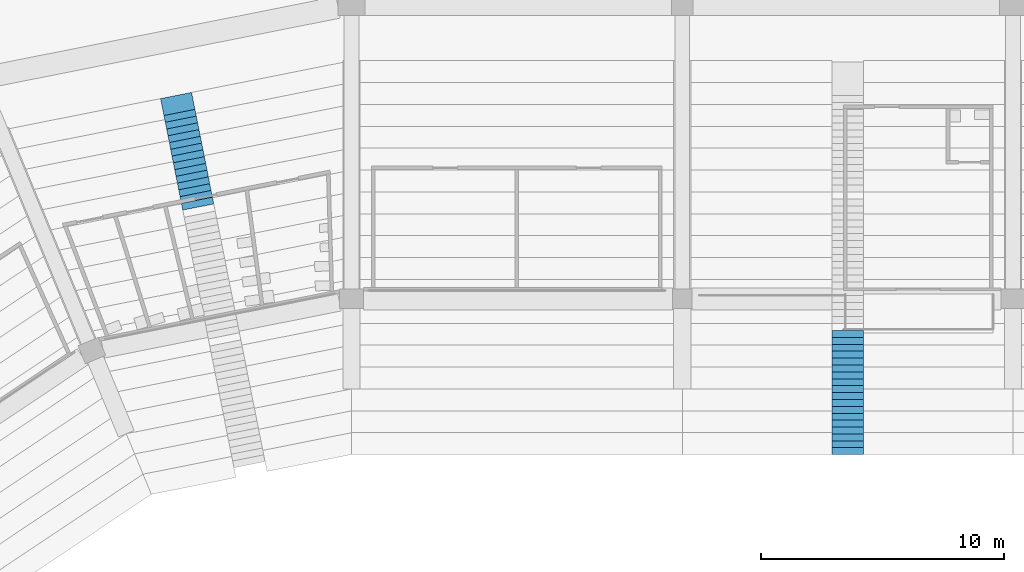
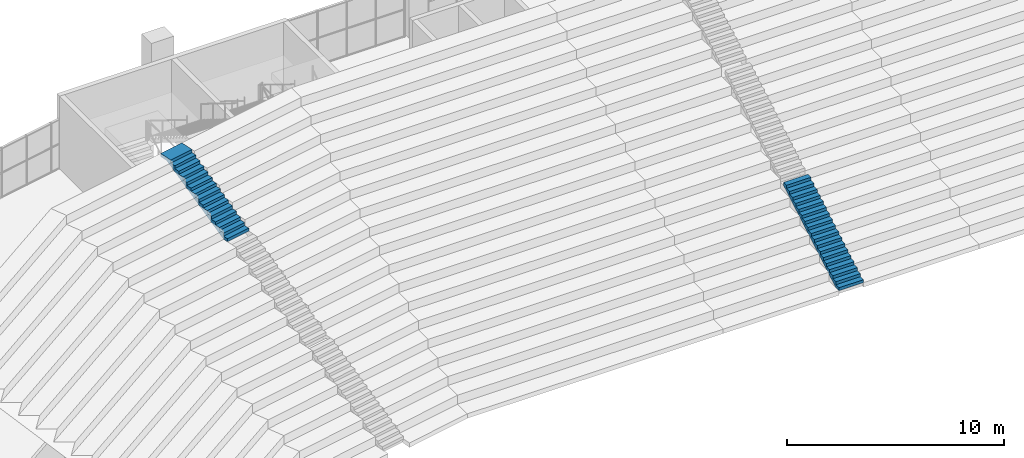
# One storey, part 202 of 249: 2 stair flights, 2 elements without a shape of their own.
"""IFC4 building model written with IfcOpenShell, lengths in metres."""

from ifc_helpers import new_model, si_unit, direction, frame, origin, place, context, subcontext, project, spatial, faceted_brep, material, type_object, element, aggregate, save


model = new_model("IFC4")

# Units and contexts
model_context = context("Model", 3, precision=1e-05, world=origin(), true_north=direction((0.0, 1.0)))
body_context = subcontext(model_context, "Body", "Model", "MODEL_VIEW")
ifc_project = project(units=[si_unit("LENGTHUNIT", "METRE"), si_unit("AREAUNIT", "SQUARE_METRE"), si_unit("VOLUMEUNIT", "CUBIC_METRE"), si_unit("PLANEANGLEUNIT", "RADIAN"), si_unit("MASSUNIT", "GRAM", prefix="KILO")], contexts=[model_context])

# Site, building, storey
site_placement = place(None, origin())
site = spatial("IfcSite", under=ifc_project, at=site_placement, CompositionType="ELEMENT")
building_placement = place(site_placement, origin())
building = spatial("IfcBuilding", under=site, at=building_placement, Name="Ogive Plaza Stadium", CompositionType="ELEMENT")
storey_placement = place(building_placement, frame((0.0, 0.0, 13.5)))
storey = spatial("IfcBuildingStorey", under=building, at=storey_placement, Name="L03", CompositionType="ELEMENT", Elevation=13.5)

# Stair, stair flight
ifc_material_1 = material(Name="Concrete C40/50", Category="concrete")
stair_type = type_object("IfcStairType", Name="Aisle stair", PredefinedType="STRAIGHT_RUN_STAIR", material=ifc_material_1)
stair_1_placement = place(storey_placement, origin())
stair_1 = element("IfcStair", 1, at=stair_1_placement, inside=storey, type_object=stair_type, Name="Aisle stair SA31U", PredefinedType="STRAIGHT_RUN_STAIR")
ifc_material_2 = material(Name="Concrete C40/50", Category="concrete")
stair_flight_type = type_object("IfcStairFlightType", Name="Aisle stair flight", PredefinedType="STRAIGHT", material=ifc_material_2)
stair_flight_1_placement = place(storey_placement, frame((-40.301513671875, 84.179443359375, 6.5), z_axis=(0.0, 0.0, 1.0), x_axis=(-0.195090322016, 0.980785280403, 0.0)))
stair_flight_1 = element("IfcStairFlight", 2, at=stair_flight_1_placement, type_object=stair_flight_type, Name="SA31U flight 3", NumberOfRisers=15, NumberOfTreads=14, PredefinedType="STRAIGHT", RiserHeight=0.166666667, TreadLength=0.283333333, context=body_context, shape_type="Brep", body=[
    faceted_brep([(0.295654296875, -0.64990234375, 0.0), (4.25, -0.64990234375, 2.326171875), (4.675537109375, -0.64990234375, 2.326171875), (4.675537109375, -0.64990234375, 2.5), (3.966552734375, -0.64990234375, 2.5), (3.966552734375, -0.64990234375, 2.333251953125), (3.683349609375, -0.64990234375, 2.333251953125), (3.683349609375, -0.64990234375, 2.166748046875), (3.39990234375, -0.64990234375, 2.166748046875), (3.39990234375, -0.64990234375, 2.0), (3.11669921875, -0.64990234375, 2.0), (3.11669921875, -0.64990234375, 1.833251953125), (2.833251953125, -0.64990234375, 1.833251953125), (2.833251953125, -0.64990234375, 1.666748046875), (2.550048828125, -0.64990234375, 1.666748046875), (2.550048828125, -0.64990234375, 1.5), (2.2666015625, -0.64990234375, 1.5), (2.2666015625, -0.64990234375, 1.333251953125), (1.9833984375, -0.64990234375, 1.333251953125), (1.9833984375, -0.64990234375, 1.166748046875), (1.699951171875, -0.64990234375, 1.166748046875), (1.699951171875, -0.64990234375, 1.0), (1.416748046875, -0.64990234375, 1.0), (1.416748046875, -0.64990234375, 0.833251953125), (1.13330078125, -0.64990234375, 0.833251953125), (1.13330078125, -0.64990234375, 0.666748046875), (0.85009765625, -0.64990234375, 0.666748046875), (0.85009765625, -0.64990234375, 0.5), (0.566650390625, -0.64990234375, 0.5), (0.566650390625, -0.64990234375, 0.333251953125), (0.283447265625, -0.64990234375, 0.333251953125), (0.283447265625, -0.64990234375, 0.166748046875), (0.0, -0.64990234375, 0.166748046875), (0.0, -0.64990234375, 0.0), (0.0, 0.64990234375, 0.0), (0.0, 0.64990234375, 0.166748046875), (0.283447265625, 0.64990234375, 0.166748046875), (0.283447265625, 0.64990234375, 0.333251953125), (0.566650390625, 0.64990234375, 0.333251953125), (0.566650390625, 0.64990234375, 0.5), (0.85009765625, 0.64990234375, 0.5), (0.85009765625, 0.64990234375, 0.666748046875), (1.13330078125, 0.64990234375, 0.666748046875), (1.13330078125, 0.64990234375, 0.833251953125), (1.416748046875, 0.64990234375, 0.833251953125), (1.416748046875, 0.64990234375, 1.0), (1.699951171875, 0.64990234375, 1.0), (1.699951171875, 0.64990234375, 1.166748046875), (1.9833984375, 0.64990234375, 1.166748046875), (1.9833984375, 0.64990234375, 1.333251953125), (2.2666015625, 0.64990234375, 1.333251953125), (2.2666015625, 0.64990234375, 1.5), (2.550048828125, 0.64990234375, 1.5), (2.550048828125, 0.64990234375, 1.666748046875), (2.833251953125, 0.64990234375, 1.666748046875), (2.833251953125, 0.64990234375, 1.833251953125), (3.11669921875, 0.64990234375, 1.833251953125), (3.11669921875, 0.64990234375, 2.0), (3.39990234375, 0.64990234375, 2.0), (3.39990234375, 0.64990234375, 2.166748046875), (3.683349609375, 0.64990234375, 2.166748046875), (3.683349609375, 0.64990234375, 2.333251953125), (3.966552734375, 0.64990234375, 2.333251953125), (3.966552734375, 0.64990234375, 2.5), (4.675537109375, 0.64990234375, 2.5), (4.675537109375, 0.64990234375, 2.326171875), (4.25, 0.64990234375, 2.326171875), (0.295654296875, 0.64990234375, 0.0), (0.295654296875, -0.324951171875, 0.0), (4.25, -0.324951171875, 2.326171875), (0.295654296875, 0.0, 0.0), (4.25, 0.0, 2.326171875), (0.295654296875, 0.324951171875, 0.0), (4.25, 0.324951171875, 2.326171875), (4.675537109375, -0.324951171875, 2.326171875), (4.675537109375, 0.0, 2.326171875), (4.675537109375, 0.324951171875, 2.326171875), (4.675537109375, -0.324951171875, 2.5), (4.675537109375, 0.0, 2.5), (4.675537109375, 0.324951171875, 2.5), (3.966552734375, -0.324951171875, 2.5), (3.966552734375, 0.0, 2.5), (3.966552734375, 0.324951171875, 2.5), (3.966552734375, -0.324951171875, 2.333251953125), (3.966552734375, 0.0, 2.333251953125), (3.966552734375, 0.324951171875, 2.333251953125), (3.683349609375, -0.324951171875, 2.333251953125), (3.683349609375, 0.0, 2.333251953125), (3.683349609375, 0.324951171875, 2.333251953125), (3.683349609375, -0.324951171875, 2.166748046875), (3.683349609375, 0.0, 2.166748046875), (3.683349609375, 0.324951171875, 2.166748046875), (3.39990234375, -0.324951171875, 2.166748046875), (3.39990234375, 0.0, 2.166748046875), (3.39990234375, 0.324951171875, 2.166748046875), (3.39990234375, -0.324951171875, 2.0), (3.39990234375, 0.0, 2.0), (3.39990234375, 0.324951171875, 2.0), (3.11669921875, -0.324951171875, 2.0), (3.11669921875, 0.0, 2.0), (3.11669921875, 0.324951171875, 2.0), (3.11669921875, -0.324951171875, 1.833251953125), (3.11669921875, 0.0, 1.833251953125), (3.11669921875, 0.324951171875, 1.833251953125), (2.833251953125, -0.324951171875, 1.833251953125), (2.833251953125, 0.0, 1.833251953125), (2.833251953125, 0.324951171875, 1.833251953125), (2.833251953125, -0.324951171875, 1.666748046875), (2.833251953125, 0.0, 1.666748046875), (2.833251953125, 0.324951171875, 1.666748046875), (2.550048828125, -0.324951171875, 1.666748046875), (2.550048828125, 0.0, 1.666748046875), (2.550048828125, 0.324951171875, 1.666748046875), (2.550048828125, -0.324951171875, 1.5), (2.550048828125, 0.0, 1.5), (2.550048828125, 0.324951171875, 1.5), (2.2666015625, -0.324951171875, 1.5), (2.2666015625, 0.0, 1.5), (2.2666015625, 0.324951171875, 1.5), (2.2666015625, -0.324951171875, 1.333251953125), (2.2666015625, 0.0, 1.333251953125), (2.2666015625, 0.324951171875, 1.333251953125), (1.9833984375, -0.324951171875, 1.333251953125), (1.9833984375, 0.0, 1.333251953125), (1.9833984375, 0.324951171875, 1.333251953125), (1.9833984375, -0.324951171875, 1.166748046875), (1.9833984375, 0.0, 1.166748046875), (1.9833984375, 0.324951171875, 1.166748046875), (1.699951171875, -0.324951171875, 1.166748046875), (1.699951171875, 0.0, 1.166748046875), (1.699951171875, 0.324951171875, 1.166748046875), (1.699951171875, -0.324951171875, 1.0), (1.699951171875, 0.0, 1.0), (1.699951171875, 0.324951171875, 1.0), (1.416748046875, -0.324951171875, 1.0), (1.416748046875, 0.0, 1.0), (1.416748046875, 0.324951171875, 1.0), (1.416748046875, -0.324951171875, 0.833251953125), (1.416748046875, 0.0, 0.833251953125), (1.416748046875, 0.324951171875, 0.833251953125), (1.13330078125, -0.324951171875, 0.833251953125), (1.13330078125, 0.0, 0.833251953125), (1.13330078125, 0.324951171875, 0.833251953125), (1.13330078125, -0.324951171875, 0.666748046875), (1.13330078125, 0.0, 0.666748046875), (1.13330078125, 0.324951171875, 0.666748046875), (0.85009765625, -0.324951171875, 0.666748046875), (0.85009765625, 0.0, 0.666748046875), (0.85009765625, 0.324951171875, 0.666748046875), (0.85009765625, -0.324951171875, 0.5), (0.85009765625, 0.0, 0.5), (0.85009765625, 0.324951171875, 0.5), (0.566650390625, -0.324951171875, 0.5), (0.566650390625, 0.0, 0.5), (0.566650390625, 0.324951171875, 0.5), (0.566650390625, -0.324951171875, 0.333251953125), (0.566650390625, 0.0, 0.333251953125), (0.566650390625, 0.324951171875, 0.333251953125), (0.283447265625, -0.324951171875, 0.333251953125), (0.283447265625, 0.0, 0.333251953125), (0.283447265625, 0.324951171875, 0.333251953125), (0.283447265625, -0.324951171875, 0.166748046875), (0.283447265625, 0.0, 0.166748046875), (0.283447265625, 0.324951171875, 0.166748046875), (0.0, -0.324951171875, 0.166748046875), (0.0, 0.0, 0.166748046875), (0.0, 0.324951171875, 0.166748046875), (0.0, -0.324951171875, 0.0), (0.0, 0.0, 0.0), (0.0, 0.324951171875, 0.0)], [[[0, 1, 2, 3, 4, 5, 6, 7, 8, 9, 10, 11, 12, 13, 14, 15, 16, 17, 18, 19, 20, 21, 22, 23, 24, 25, 26, 27, 28, 29, 30, 31, 32, 33]], [[34, 35, 36, 37, 38, 39, 40, 41, 42, 43, 44, 45, 46, 47, 48, 49, 50, 51, 52, 53, 54, 55, 56, 57, 58, 59, 60, 61, 62, 63, 64, 65, 66, 67]], [[0, 68, 69, 1]], [[68, 70, 71, 69]], [[70, 72, 73, 71]], [[72, 67, 66, 73]], [[1, 69, 74, 2]], [[69, 71, 75, 74]], [[71, 73, 76, 75]], [[73, 66, 65, 76]], [[2, 74, 77, 3]], [[74, 75, 78, 77]], [[75, 76, 79, 78]], [[76, 65, 64, 79]], [[3, 77, 80, 4]], [[77, 78, 81, 80]], [[78, 79, 82, 81]], [[79, 64, 63, 82]], [[4, 80, 83, 5]], [[80, 81, 84, 83]], [[81, 82, 85, 84]], [[82, 63, 62, 85]], [[5, 83, 86, 6]], [[83, 84, 87, 86]], [[84, 85, 88, 87]], [[85, 62, 61, 88]], [[6, 86, 89, 7]], [[86, 87, 90, 89]], [[87, 88, 91, 90]], [[88, 61, 60, 91]], [[7, 89, 92, 8]], [[89, 90, 93, 92]], [[90, 91, 94, 93]], [[91, 60, 59, 94]], [[8, 92, 95, 9]], [[92, 93, 96, 95]], [[93, 94, 97, 96]], [[94, 59, 58, 97]], [[9, 95, 98, 10]], [[95, 96, 99, 98]], [[96, 97, 100, 99]], [[97, 58, 57, 100]], [[10, 98, 101, 11]], [[98, 99, 102, 101]], [[99, 100, 103, 102]], [[100, 57, 56, 103]], [[11, 101, 104, 12]], [[101, 102, 105, 104]], [[102, 103, 106, 105]], [[103, 56, 55, 106]], [[12, 104, 107, 13]], [[104, 105, 108, 107]], [[105, 106, 109, 108]], [[106, 55, 54, 109]], [[13, 107, 110, 14]], [[107, 108, 111, 110]], [[108, 109, 112, 111]], [[109, 54, 53, 112]], [[14, 110, 113, 15]], [[110, 111, 114, 113]], [[111, 112, 115, 114]], [[112, 53, 52, 115]], [[15, 113, 116, 16]], [[113, 114, 117, 116]], [[114, 115, 118, 117]], [[115, 52, 51, 118]], [[16, 116, 119, 17]], [[116, 117, 120, 119]], [[117, 118, 121, 120]], [[118, 51, 50, 121]], [[17, 119, 122, 18]], [[119, 120, 123, 122]], [[120, 121, 124, 123]], [[121, 50, 49, 124]], [[18, 122, 125, 19]], [[122, 123, 126, 125]], [[123, 124, 127, 126]], [[124, 49, 48, 127]], [[19, 125, 128, 20]], [[125, 126, 129, 128]], [[126, 127, 130, 129]], [[127, 48, 47, 130]], [[20, 128, 131, 21]], [[128, 129, 132, 131]], [[129, 130, 133, 132]], [[130, 47, 46, 133]], [[21, 131, 134, 22]], [[131, 132, 135, 134]], [[132, 133, 136, 135]], [[133, 46, 45, 136]], [[22, 134, 137, 23]], [[134, 135, 138, 137]], [[135, 136, 139, 138]], [[136, 45, 44, 139]], [[23, 137, 140, 24]], [[137, 138, 141, 140]], [[138, 139, 142, 141]], [[139, 44, 43, 142]], [[24, 140, 143, 25]], [[140, 141, 144, 143]], [[141, 142, 145, 144]], [[142, 43, 42, 145]], [[25, 143, 146, 26]], [[143, 144, 147, 146]], [[144, 145, 148, 147]], [[145, 42, 41, 148]], [[26, 146, 149, 27]], [[146, 147, 150, 149]], [[147, 148, 151, 150]], [[148, 41, 40, 151]], [[27, 149, 152, 28]], [[149, 150, 153, 152]], [[150, 151, 154, 153]], [[151, 40, 39, 154]], [[28, 152, 155, 29]], [[152, 153, 156, 155]], [[153, 154, 157, 156]], [[154, 39, 38, 157]], [[29, 155, 158, 30]], [[155, 156, 159, 158]], [[156, 157, 160, 159]], [[157, 38, 37, 160]], [[30, 158, 161, 31]], [[158, 159, 162, 161]], [[159, 160, 163, 162]], [[160, 37, 36, 163]], [[31, 161, 164, 32]], [[161, 162, 165, 164]], [[162, 163, 166, 165]], [[163, 36, 35, 166]], [[32, 164, 167, 33]], [[164, 165, 168, 167]], [[165, 166, 169, 168]], [[166, 35, 34, 169]], [[33, 167, 68, 0]], [[167, 168, 70, 68]], [[168, 169, 72, 70]], [[169, 34, 67, 72]]]),
])
aggregate(stair_1, [stair_flight_1])

stair_2_placement = place(storey_placement, origin())
stair_2 = element("IfcStair", 3, at=stair_2_placement, inside=storey, type_object=stair_type, Name="Aisle stair SA33U", PredefinedType="STRAIGHT_RUN_STAIR")
stair_flight_2_placement = place(storey_placement, frame((-13.60009765625, 74.0, 0.5), z_axis=(0.0, 0.0, 1.0), x_axis=(0.0, 1.0, 0.0)))
stair_flight_2 = element("IfcStairFlight", 4, at=stair_flight_2_placement, type_object=stair_flight_type, Name="SA33U flight 1", NumberOfRisers=18, NumberOfTreads=17, PredefinedType="STRAIGHT", RiserHeight=0.166666667, TreadLength=0.283333333, context=body_context, shape_type="Brep", body=[
    faceted_brep([(0.295654296875, -0.64990234375, 0.0), (5.10009765625, -0.64990234375, 2.826171875), (5.10009765625, -0.64990234375, 3.0), (4.816650390625, -0.64990234375, 3.0), (4.816650390625, -0.64990234375, 2.833251953125), (4.533447265625, -0.64990234375, 2.833251953125), (4.533447265625, -0.64990234375, 2.666748046875), (4.25, -0.64990234375, 2.666748046875), (4.25, -0.64990234375, 2.5), (3.966552734375, -0.64990234375, 2.5), (3.966552734375, -0.64990234375, 2.333251953125), (3.683349609375, -0.64990234375, 2.333251953125), (3.683349609375, -0.64990234375, 2.166748046875), (3.39990234375, -0.64990234375, 2.166748046875), (3.39990234375, -0.64990234375, 2.0), (3.11669921875, -0.64990234375, 2.0), (3.11669921875, -0.64990234375, 1.833251953125), (2.833251953125, -0.64990234375, 1.833251953125), (2.833251953125, -0.64990234375, 1.666748046875), (2.550048828125, -0.64990234375, 1.666748046875), (2.550048828125, -0.64990234375, 1.5), (2.2666015625, -0.64990234375, 1.5), (2.2666015625, -0.64990234375, 1.333251953125), (1.9833984375, -0.64990234375, 1.333251953125), (1.9833984375, -0.64990234375, 1.166748046875), (1.699951171875, -0.64990234375, 1.166748046875), (1.699951171875, -0.64990234375, 1.0), (1.416748046875, -0.64990234375, 1.0), (1.416748046875, -0.64990234375, 0.833251953125), (1.13330078125, -0.64990234375, 0.833251953125), (1.13330078125, -0.64990234375, 0.666748046875), (0.85009765625, -0.64990234375, 0.666748046875), (0.85009765625, -0.64990234375, 0.5), (0.566650390625, -0.64990234375, 0.5), (0.566650390625, -0.64990234375, 0.333251953125), (0.283447265625, -0.64990234375, 0.333251953125), (0.283447265625, -0.64990234375, 0.166748046875), (0.0, -0.64990234375, 0.166748046875), (0.0, -0.64990234375, 0.0), (0.0, 0.64990234375, 0.0), (0.0, 0.64990234375, 0.166748046875), (0.283447265625, 0.64990234375, 0.166748046875), (0.283447265625, 0.64990234375, 0.333251953125), (0.566650390625, 0.64990234375, 0.333251953125), (0.566650390625, 0.64990234375, 0.5), (0.85009765625, 0.64990234375, 0.5), (0.85009765625, 0.64990234375, 0.666748046875), (1.13330078125, 0.64990234375, 0.666748046875), (1.13330078125, 0.64990234375, 0.833251953125), (1.416748046875, 0.64990234375, 0.833251953125), (1.416748046875, 0.64990234375, 1.0), (1.699951171875, 0.64990234375, 1.0), (1.699951171875, 0.64990234375, 1.166748046875), (1.9833984375, 0.64990234375, 1.166748046875), (1.9833984375, 0.64990234375, 1.333251953125), (2.2666015625, 0.64990234375, 1.333251953125), (2.2666015625, 0.64990234375, 1.5), (2.550048828125, 0.64990234375, 1.5), (2.550048828125, 0.64990234375, 1.666748046875), (2.833251953125, 0.64990234375, 1.666748046875), (2.833251953125, 0.64990234375, 1.833251953125), (3.11669921875, 0.64990234375, 1.833251953125), (3.11669921875, 0.64990234375, 2.0), (3.39990234375, 0.64990234375, 2.0), (3.39990234375, 0.64990234375, 2.166748046875), (3.683349609375, 0.64990234375, 2.166748046875), (3.683349609375, 0.64990234375, 2.333251953125), (3.966552734375, 0.64990234375, 2.333251953125), (3.966552734375, 0.64990234375, 2.5), (4.25, 0.64990234375, 2.5), (4.25, 0.64990234375, 2.666748046875), (4.533447265625, 0.64990234375, 2.666748046875), (4.533447265625, 0.64990234375, 2.833251953125), (4.816650390625, 0.64990234375, 2.833251953125), (4.816650390625, 0.64990234375, 3.0), (5.10009765625, 0.64990234375, 3.0), (5.10009765625, 0.64990234375, 2.826171875), (0.295654296875, 0.64990234375, 0.0), (0.295654296875, -0.324951171875, 0.0), (5.10009765625, -0.324951171875, 2.826171875), (0.295654296875, 0.0, 0.0), (5.10009765625, 0.0, 2.826171875), (0.295654296875, 0.324951171875, 0.0), (5.10009765625, 0.324951171875, 2.826171875), (5.10009765625, -0.324951171875, 3.0), (5.10009765625, 0.0, 3.0), (5.10009765625, 0.324951171875, 3.0), (4.816650390625, -0.324951171875, 3.0), (4.816650390625, 0.0, 3.0), (4.816650390625, 0.324951171875, 3.0), (4.816650390625, -0.324951171875, 2.833251953125), (4.816650390625, 0.0, 2.833251953125), (4.816650390625, 0.324951171875, 2.833251953125), (4.533447265625, -0.324951171875, 2.833251953125), (4.533447265625, 0.0, 2.833251953125), (4.533447265625, 0.324951171875, 2.833251953125), (4.533447265625, -0.324951171875, 2.666748046875), (4.533447265625, 0.0, 2.666748046875), (4.533447265625, 0.324951171875, 2.666748046875), (4.25, -0.324951171875, 2.666748046875), (4.25, 0.0, 2.666748046875), (4.25, 0.324951171875, 2.666748046875), (4.25, -0.324951171875, 2.5), (4.25, 0.0, 2.5), (4.25, 0.324951171875, 2.5), (3.966552734375, -0.324951171875, 2.5), (3.966552734375, 0.0, 2.5), (3.966552734375, 0.324951171875, 2.5), (3.966552734375, -0.324951171875, 2.333251953125), (3.966552734375, 0.0, 2.333251953125), (3.966552734375, 0.324951171875, 2.333251953125), (3.683349609375, -0.324951171875, 2.333251953125), (3.683349609375, 0.0, 2.333251953125), (3.683349609375, 0.324951171875, 2.333251953125), (3.683349609375, -0.324951171875, 2.166748046875), (3.683349609375, 0.0, 2.166748046875), (3.683349609375, 0.324951171875, 2.166748046875), (3.39990234375, -0.324951171875, 2.166748046875), (3.39990234375, 0.0, 2.166748046875), (3.39990234375, 0.324951171875, 2.166748046875), (3.39990234375, -0.324951171875, 2.0), (3.39990234375, 0.0, 2.0), (3.39990234375, 0.324951171875, 2.0), (3.11669921875, -0.324951171875, 2.0), (3.11669921875, 0.0, 2.0), (3.11669921875, 0.324951171875, 2.0), (3.11669921875, -0.324951171875, 1.833251953125), (3.11669921875, 0.0, 1.833251953125), (3.11669921875, 0.324951171875, 1.833251953125), (2.833251953125, -0.324951171875, 1.833251953125), (2.833251953125, 0.0, 1.833251953125), (2.833251953125, 0.324951171875, 1.833251953125), (2.833251953125, -0.324951171875, 1.666748046875), (2.833251953125, 0.0, 1.666748046875), (2.833251953125, 0.324951171875, 1.666748046875), (2.550048828125, -0.324951171875, 1.666748046875), (2.550048828125, 0.0, 1.666748046875), (2.550048828125, 0.324951171875, 1.666748046875), (2.550048828125, -0.324951171875, 1.5), (2.550048828125, 0.0, 1.5), (2.550048828125, 0.324951171875, 1.5), (2.2666015625, -0.324951171875, 1.5), (2.2666015625, 0.0, 1.5), (2.2666015625, 0.324951171875, 1.5), (2.2666015625, -0.324951171875, 1.333251953125), (2.2666015625, 0.0, 1.333251953125), (2.2666015625, 0.324951171875, 1.333251953125), (1.9833984375, -0.324951171875, 1.333251953125), (1.9833984375, 0.0, 1.333251953125), (1.9833984375, 0.324951171875, 1.333251953125), (1.9833984375, -0.324951171875, 1.166748046875), (1.9833984375, 0.0, 1.166748046875), (1.9833984375, 0.324951171875, 1.166748046875), (1.699951171875, -0.324951171875, 1.166748046875), (1.699951171875, 0.0, 1.166748046875), (1.699951171875, 0.324951171875, 1.166748046875), (1.699951171875, -0.324951171875, 1.0), (1.699951171875, 0.0, 1.0), (1.699951171875, 0.324951171875, 1.0), (1.416748046875, -0.324951171875, 1.0), (1.416748046875, 0.0, 1.0), (1.416748046875, 0.324951171875, 1.0), (1.416748046875, -0.324951171875, 0.833251953125), (1.416748046875, 0.0, 0.833251953125), (1.416748046875, 0.324951171875, 0.833251953125), (1.13330078125, -0.324951171875, 0.833251953125), (1.13330078125, 0.0, 0.833251953125), (1.13330078125, 0.324951171875, 0.833251953125), (1.13330078125, -0.324951171875, 0.666748046875), (1.13330078125, 0.0, 0.666748046875), (1.13330078125, 0.324951171875, 0.666748046875), (0.85009765625, -0.324951171875, 0.666748046875), (0.85009765625, 0.0, 0.666748046875), (0.85009765625, 0.324951171875, 0.666748046875), (0.85009765625, -0.324951171875, 0.5), (0.85009765625, 0.0, 0.5), (0.85009765625, 0.324951171875, 0.5), (0.566650390625, -0.324951171875, 0.5), (0.566650390625, 0.0, 0.5), (0.566650390625, 0.324951171875, 0.5), (0.566650390625, -0.324951171875, 0.333251953125), (0.566650390625, 0.0, 0.333251953125), (0.566650390625, 0.324951171875, 0.333251953125), (0.283447265625, -0.324951171875, 0.333251953125), (0.283447265625, 0.0, 0.333251953125), (0.283447265625, 0.324951171875, 0.333251953125), (0.283447265625, -0.324951171875, 0.166748046875), (0.283447265625, 0.0, 0.166748046875), (0.283447265625, 0.324951171875, 0.166748046875), (0.0, -0.324951171875, 0.166748046875), (0.0, 0.0, 0.166748046875), (0.0, 0.324951171875, 0.166748046875), (0.0, -0.324951171875, 0.0), (0.0, 0.0, 0.0), (0.0, 0.324951171875, 0.0)], [[[0, 1, 2, 3, 4, 5, 6, 7, 8, 9, 10, 11, 12, 13, 14, 15, 16, 17, 18, 19, 20, 21, 22, 23, 24, 25, 26, 27, 28, 29, 30, 31, 32, 33, 34, 35, 36, 37, 38]], [[39, 40, 41, 42, 43, 44, 45, 46, 47, 48, 49, 50, 51, 52, 53, 54, 55, 56, 57, 58, 59, 60, 61, 62, 63, 64, 65, 66, 67, 68, 69, 70, 71, 72, 73, 74, 75, 76, 77]], [[0, 78, 79, 1]], [[78, 80, 81, 79]], [[80, 82, 83, 81]], [[82, 77, 76, 83]], [[1, 79, 84, 2]], [[79, 81, 85, 84]], [[81, 83, 86, 85]], [[83, 76, 75, 86]], [[2, 84, 87, 3]], [[84, 85, 88, 87]], [[85, 86, 89, 88]], [[86, 75, 74, 89]], [[3, 87, 90, 4]], [[87, 88, 91, 90]], [[88, 89, 92, 91]], [[89, 74, 73, 92]], [[4, 90, 93, 5]], [[90, 91, 94, 93]], [[91, 92, 95, 94]], [[92, 73, 72, 95]], [[5, 93, 96, 6]], [[93, 94, 97, 96]], [[94, 95, 98, 97]], [[95, 72, 71, 98]], [[6, 96, 99, 7]], [[96, 97, 100, 99]], [[97, 98, 101, 100]], [[98, 71, 70, 101]], [[7, 99, 102, 8]], [[99, 100, 103, 102]], [[100, 101, 104, 103]], [[101, 70, 69, 104]], [[8, 102, 105, 9]], [[102, 103, 106, 105]], [[103, 104, 107, 106]], [[104, 69, 68, 107]], [[9, 105, 108, 10]], [[105, 106, 109, 108]], [[106, 107, 110, 109]], [[107, 68, 67, 110]], [[10, 108, 111, 11]], [[108, 109, 112, 111]], [[109, 110, 113, 112]], [[110, 67, 66, 113]], [[11, 111, 114, 12]], [[111, 112, 115, 114]], [[112, 113, 116, 115]], [[113, 66, 65, 116]], [[12, 114, 117, 13]], [[114, 115, 118, 117]], [[115, 116, 119, 118]], [[116, 65, 64, 119]], [[13, 117, 120, 14]], [[117, 118, 121, 120]], [[118, 119, 122, 121]], [[119, 64, 63, 122]], [[14, 120, 123, 15]], [[120, 121, 124, 123]], [[121, 122, 125, 124]], [[122, 63, 62, 125]], [[15, 123, 126, 16]], [[123, 124, 127, 126]], [[124, 125, 128, 127]], [[125, 62, 61, 128]], [[16, 126, 129, 17]], [[126, 127, 130, 129]], [[127, 128, 131, 130]], [[128, 61, 60, 131]], [[17, 129, 132, 18]], [[129, 130, 133, 132]], [[130, 131, 134, 133]], [[131, 60, 59, 134]], [[18, 132, 135, 19]], [[132, 133, 136, 135]], [[133, 134, 137, 136]], [[134, 59, 58, 137]], [[19, 135, 138, 20]], [[135, 136, 139, 138]], [[136, 137, 140, 139]], [[137, 58, 57, 140]], [[20, 138, 141, 21]], [[138, 139, 142, 141]], [[139, 140, 143, 142]], [[140, 57, 56, 143]], [[21, 141, 144, 22]], [[141, 142, 145, 144]], [[142, 143, 146, 145]], [[143, 56, 55, 146]], [[22, 144, 147, 23]], [[144, 145, 148, 147]], [[145, 146, 149, 148]], [[146, 55, 54, 149]], [[23, 147, 150, 24]], [[147, 148, 151, 150]], [[148, 149, 152, 151]], [[149, 54, 53, 152]], [[24, 150, 153, 25]], [[150, 151, 154, 153]], [[151, 152, 155, 154]], [[152, 53, 52, 155]], [[25, 153, 156, 26]], [[153, 154, 157, 156]], [[154, 155, 158, 157]], [[155, 52, 51, 158]], [[26, 156, 159, 27]], [[156, 157, 160, 159]], [[157, 158, 161, 160]], [[158, 51, 50, 161]], [[27, 159, 162, 28]], [[159, 160, 163, 162]], [[160, 161, 164, 163]], [[161, 50, 49, 164]], [[28, 162, 165, 29]], [[162, 163, 166, 165]], [[163, 164, 167, 166]], [[164, 49, 48, 167]], [[29, 165, 168, 30]], [[165, 166, 169, 168]], [[166, 167, 170, 169]], [[167, 48, 47, 170]], [[30, 168, 171, 31]], [[168, 169, 172, 171]], [[169, 170, 173, 172]], [[170, 47, 46, 173]], [[31, 171, 174, 32]], [[171, 172, 175, 174]], [[172, 173, 176, 175]], [[173, 46, 45, 176]], [[32, 174, 177, 33]], [[174, 175, 178, 177]], [[175, 176, 179, 178]], [[176, 45, 44, 179]], [[33, 177, 180, 34]], [[177, 178, 181, 180]], [[178, 179, 182, 181]], [[179, 44, 43, 182]], [[34, 180, 183, 35]], [[180, 181, 184, 183]], [[181, 182, 185, 184]], [[182, 43, 42, 185]], [[35, 183, 186, 36]], [[183, 184, 187, 186]], [[184, 185, 188, 187]], [[185, 42, 41, 188]], [[36, 186, 189, 37]], [[186, 187, 190, 189]], [[187, 188, 191, 190]], [[188, 41, 40, 191]], [[37, 189, 192, 38]], [[189, 190, 193, 192]], [[190, 191, 194, 193]], [[191, 40, 39, 194]], [[38, 192, 78, 0]], [[192, 193, 80, 78]], [[193, 194, 82, 80]], [[194, 39, 77, 82]]]),
])
aggregate(stair_2, [stair_flight_2])

save(model, "model.ifc")
